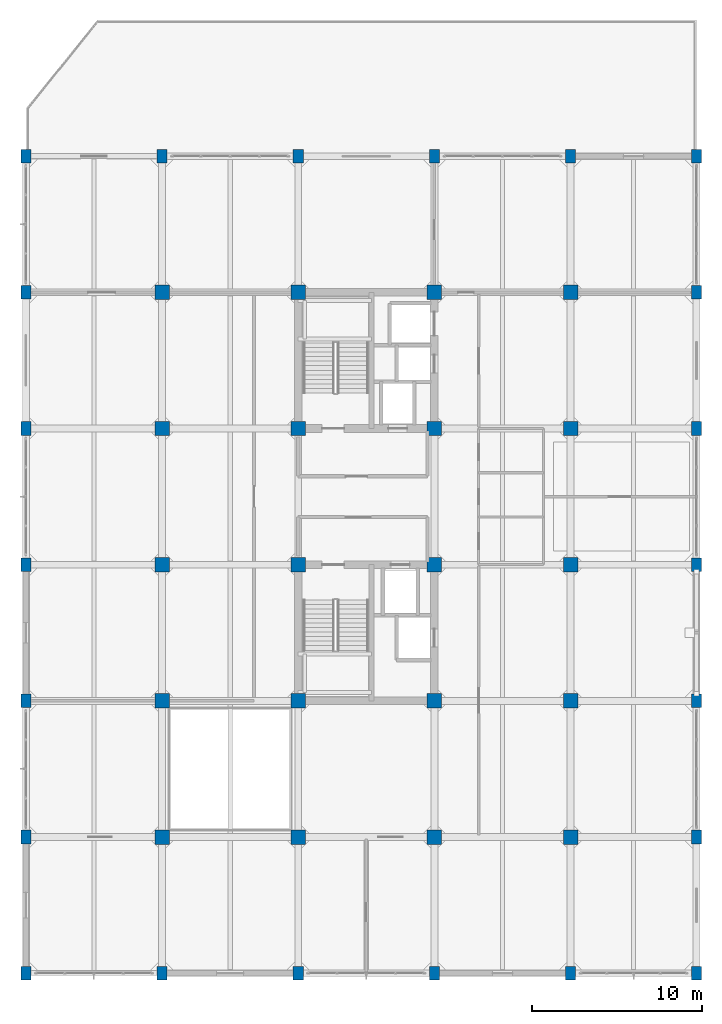
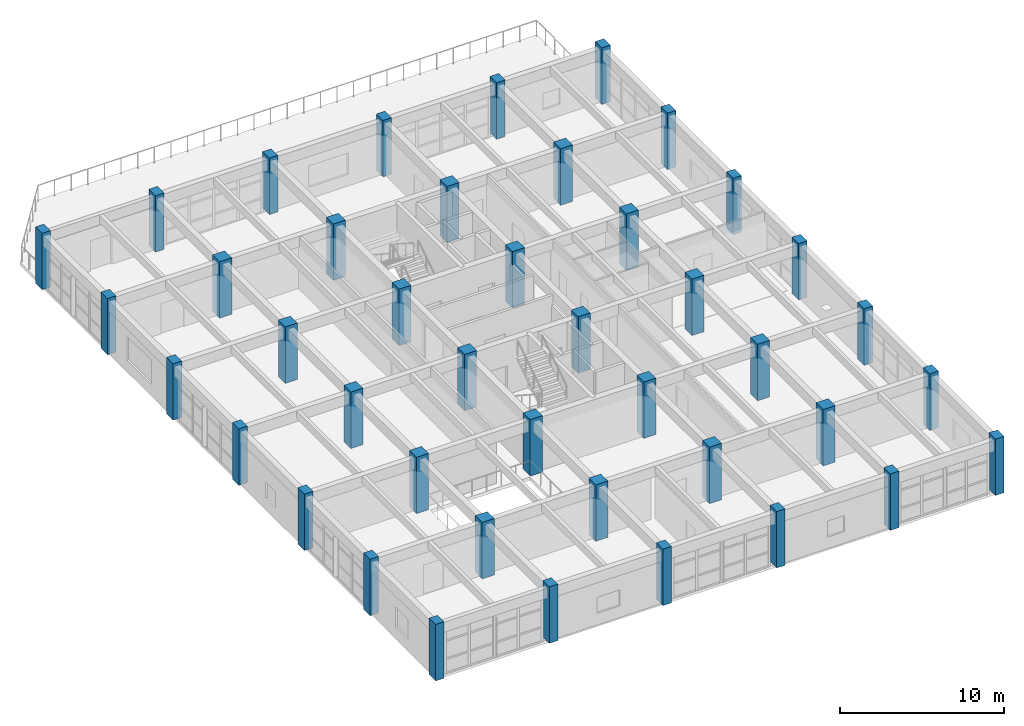
# One storey, part 1 of 30: 42 columns.
"""IFC4 building model written with IfcOpenShell, lengths in metres."""

from ifc_helpers import new_model, si_unit, direction, frame, origin, origin_2d, place, context, subcontext, project, spatial, rectangle, extrude, material, material_profile, profile_set, type_object, element, save


model = new_model("IFC4")

# Units and contexts
model_context = context("Model", 3, precision=1e-05, world=origin(), true_north=direction((0.0, 1.0)))
body_context = subcontext(model_context, "Body", "Model", "MODEL_VIEW")
ifc_project = project(units=[si_unit("LENGTHUNIT", "METRE"), si_unit("AREAUNIT", "SQUARE_METRE"), si_unit("VOLUMEUNIT", "CUBIC_METRE"), si_unit("PLANEANGLEUNIT", "RADIAN"), si_unit("MASSUNIT", "GRAM", prefix="KILO")], contexts=[model_context])

# Site, building, storey
site_placement = place(None, origin())
site = spatial("IfcSite", under=ifc_project, at=site_placement, CompositionType="ELEMENT")
building_placement = place(site_placement, origin())
building = spatial("IfcBuilding", under=site, at=building_placement, Name="Canggui Botanical Conservatory", CompositionType="ELEMENT")
storey_placement = place(building_placement, frame((0.0, 0.0, 19.199951171875)))
storey = spatial("IfcBuildingStorey", under=building, at=storey_placement, Name="L05", CompositionType="ELEMENT", Elevation=19.199951171875)

# Columns
ifc_material = material(Name="Concrete C40", Category="concrete")
ifc_material_profile_1 = material_profile(ifc_material, rectangle(XDim=0.85009765625, YDim=0.85009765625, at=origin_2d()), Name="RC 850x850")
ifc_profile_set_1 = profile_set([ifc_material_profile_1], Name="Concrete C40")
column_type_1 = type_object("IfcColumnType", Name="COL-KZ06", PredefinedType="COLUMN", material=ifc_profile_set_1)
for number, where, z_axis, x_axis, name in (
    (1, (146.0, 34.0, 0.0), (0.0, 0.0, 1.0), (1.0, 0.0, 0.0), "Tower RC Column L05 (146,34)"),
    (2, (146.0, 42.0, 0.0), (0.0, 0.0, 1.0), (1.0, 0.0, 0.0), "Tower RC Column L05 (146,42)"),
    (3, (146.0, 50.0, 0.0), (0.0, 0.0, 1.0), (1.0, 0.0, 0.0), "Tower RC Column L05 (146,50)"),
    (4, (146.0, 58.0, 0.0), (0.0, 0.0, 1.0), (1.0, 0.0, 0.0), "Tower RC Column L05 (146,58)"),
    (5, (146.0, 66.0, 0.0), (0.0, 0.0, 1.0), (1.0, 0.0, 0.0), "Tower RC Column L05 (146,66)"),
    (6, (154.0, 34.0, 0.0), (0.0, 0.0, 1.0), (1.0, 0.0, 0.0), "Tower RC Column L05 (154,34)"),
    (7, (154.0, 42.0, 0.0), (0.0, 0.0, 1.0), (1.0, 0.0, 0.0), "Tower RC Column L05 (154,42)"),
    (8, (154.0, 50.0, 0.0), (0.0, 0.0, 1.0), (1.0, 0.0, 0.0), "Tower RC Column L05 (154,50)"),
    (9, (154.0, 58.0, 0.0), (0.0, 0.0, 1.0), (1.0, 0.0, 0.0), "Tower RC Column L05 (154,58)"),
    (10, (154.0, 66.0, 0.0), (0.0, 0.0, 1.0), (1.0, 0.0, 0.0), "Tower RC Column L05 (154,66)"),
    (11, (162.0, 34.0, 0.0), (0.0, 0.0, 1.0), (1.0, 0.0, 0.0), "Tower RC Column L05 (162,34)"),
    (12, (162.0, 42.0, 0.0), (0.0, 0.0, 1.0), (1.0, 0.0, 0.0), "Tower RC Column L05 (162,42)"),
    (13, (162.0, 50.0, 0.0), (0.0, 0.0, 1.0), (1.0, 0.0, 0.0), "Tower RC Column L05 (162,50)"),
    (14, (162.0, 58.0, 0.0), (0.0, 0.0, 1.0), (1.0, 0.0, 0.0), "Tower RC Column L05 (162,58)"),
    (15, (162.0, 66.0, 0.0), (0.0, 0.0, 1.0), (1.0, 0.0, 0.0), "Tower RC Column L05 (162,66)"),
    (16, (170.0, 34.0, 0.0), (0.0, 0.0, 1.0), (1.0, 0.0, 0.0), "Tower RC Column L05 (170,34)"),
    (17, (170.0, 42.0, 0.0), (0.0, 0.0, 1.0), (1.0, 0.0, 0.0), "Tower RC Column L05 (170,42)"),
    (18, (170.0, 50.0, 0.0), (0.0, 0.0, 1.0), (1.0, 0.0, 0.0), "Tower RC Column L05 (170,50)"),
    (19, (170.0, 58.0, 0.0), (0.0, 0.0, 1.0), (1.0, 0.0, 0.0), "Tower RC Column L05 (170,58)"),
    (20, (170.0, 66.0, 0.0), (0.0, 0.0, 1.0), (1.0, 0.0, 0.0), "Tower RC Column L05 (170,66)"),
):
    element("IfcColumn", number, at=place(storey_placement, frame(where, z_axis=z_axis, x_axis=x_axis)), inside=storey, type_object=column_type_1, Name=name, PredefinedType="COLUMN", context=body_context, shape_type="SweptSolid", body=[
        extrude(rectangle(XDim=0.85009765625, YDim=0.85009765625, at=origin_2d()), origin(), (0.0, 0.0, 1.0), 4.199951171875),
    ])
ifc_material_profile_2 = material_profile(ifc_material, rectangle(XDim=0.60009765625, YDim=0.800048828125, at=origin_2d()), Name="RC 600x800")
ifc_profile_set_2 = profile_set([ifc_material_profile_2], Name="Concrete C40")
column_type_2 = type_object("IfcColumnType", Name="COL-KZ16", PredefinedType="COLUMN", material=ifc_profile_set_2)
for number, where, z_axis, x_axis, name in (
    (21, (138.0, 26.0, 0.0), (0.0, 0.0, 1.0), (1.0, 0.0, 0.0), "Tower RC Column L05 (138,26)"),
    (22, (138.0, 34.0, 0.0), (0.0, 0.0, 1.0), (1.0, 0.0, 0.0), "Tower RC Column L05 (138,34)"),
    (23, (138.0, 42.0, 0.0), (0.0, 0.0, 1.0), (1.0, 0.0, 0.0), "Tower RC Column L05 (138,42)"),
    (24, (138.0, 50.0, 0.0), (0.0, 0.0, 1.0), (1.0, 0.0, 0.0), "Tower RC Column L05 (138,50)"),
    (25, (138.0, 58.0, 0.0), (0.0, 0.0, 1.0), (1.0, 0.0, 0.0), "Tower RC Column L05 (138,58)"),
    (26, (138.0, 66.0, 0.0), (0.0, 0.0, 1.0), (1.0, 0.0, 0.0), "Tower RC Column L05 (138,66)"),
    (27, (138.0, 74.0, 0.0), (0.0, 0.0, 1.0), (1.0, 0.0, 0.0), "Tower RC Column L05 (138,74)"),
    (28, (146.0, 26.0, 0.0), (0.0, 0.0, 1.0), (1.0, 0.0, 0.0), "Tower RC Column L05 (146,26)"),
    (29, (146.0, 74.0, 0.0), (0.0, 0.0, 1.0), (1.0, 0.0, 0.0), "Tower RC Column L05 (146,74)"),
    (30, (154.0, 26.0, 0.0), (0.0, 0.0, 1.0), (1.0, 0.0, 0.0), "Tower RC Column L05 (154,26)"),
    (31, (154.0, 74.0, 0.0), (0.0, 0.0, 1.0), (1.0, 0.0, 0.0), "Tower RC Column L05 (154,74)"),
    (32, (162.0, 26.0, 0.0), (0.0, 0.0, 1.0), (1.0, 0.0, 0.0), "Tower RC Column L05 (162,26)"),
    (33, (162.0, 74.0, 0.0), (0.0, 0.0, 1.0), (1.0, 0.0, 0.0), "Tower RC Column L05 (162,74)"),
    (34, (170.0, 26.0, 0.0), (0.0, 0.0, 1.0), (1.0, 0.0, 0.0), "Tower RC Column L05 (170,26)"),
    (35, (170.0, 74.0, 0.0), (0.0, 0.0, 1.0), (1.0, 0.0, 0.0), "Tower RC Column L05 (170,74)"),
    (36, (177.39990234375, 26.0, 0.0), (0.0, 0.0, 1.0), (1.0, 0.0, 0.0), "Tower RC Column L05 (178,26)"),
    (37, (177.39990234375, 34.0, 0.0), (0.0, 0.0, 1.0), (1.0, 0.0, 0.0), "Tower RC Column L05 (178,34)"),
    (38, (177.39990234375, 42.0, 0.0), (0.0, 0.0, 1.0), (1.0, 0.0, 0.0), "Tower RC Column L05 (178,42)"),
    (39, (177.39990234375, 50.0, 0.0), (0.0, 0.0, 1.0), (1.0, 0.0, 0.0), "Tower RC Column L05 (178,50)"),
    (40, (177.39990234375, 58.0, 0.0), (0.0, 0.0, 1.0), (1.0, 0.0, 0.0), "Tower RC Column L05 (178,58)"),
    (41, (177.39990234375, 66.0, 0.0), (0.0, 0.0, 1.0), (1.0, 0.0, 0.0), "Tower RC Column L05 (178,66)"),
    (42, (177.39990234375, 74.0, 0.0), (0.0, 0.0, 1.0), (1.0, 0.0, 0.0), "Tower RC Column L05 (178,74)"),
):
    element("IfcColumn", number, at=place(storey_placement, frame(where, z_axis=z_axis, x_axis=x_axis)), inside=storey, type_object=column_type_2, Name=name, PredefinedType="COLUMN", context=body_context, shape_type="SweptSolid", body=[
        extrude(rectangle(XDim=0.60009765625, YDim=0.800048828125, at=origin_2d()), origin(), (0.0, 0.0, 1.0), 4.199951171875),
    ])

save(model, "model.ifc")
